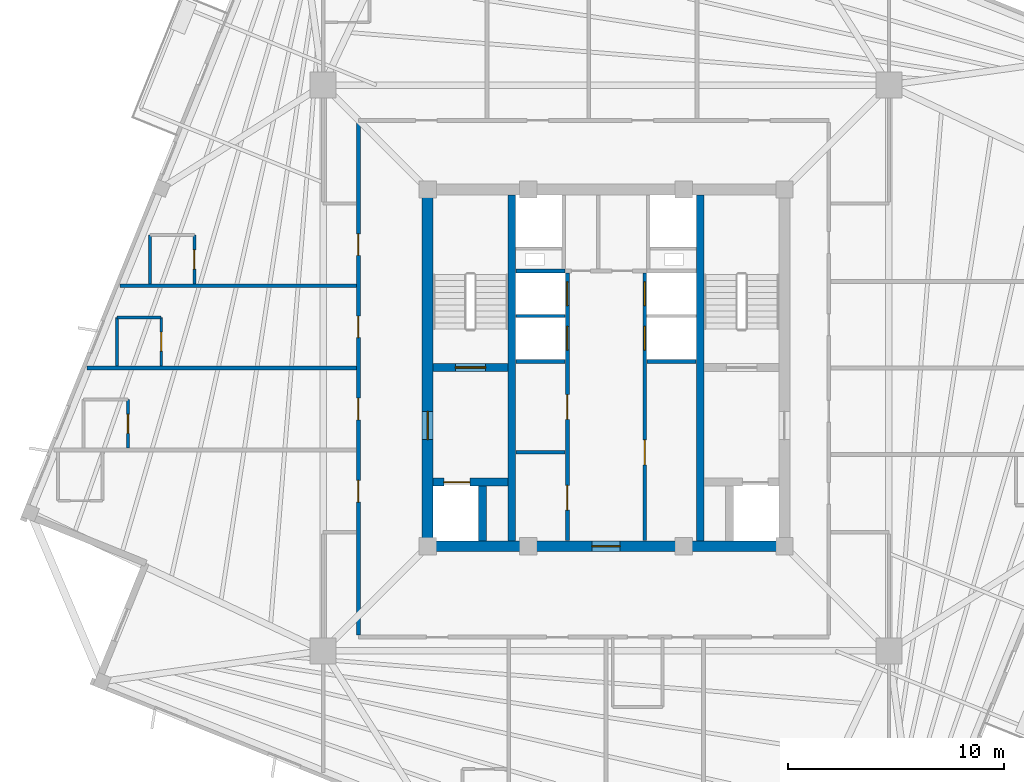
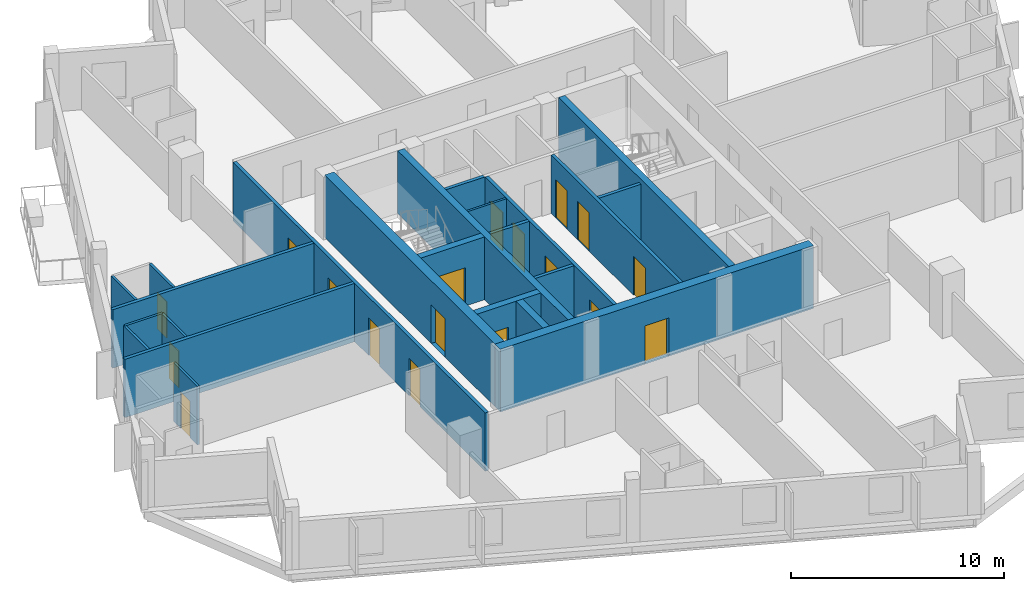
# One storey, part 3 of 9: 23 walls, 18 doors, 18 openings.
"""IFC4 building model written with IfcOpenShell, lengths in metres."""

from ifc_helpers import new_model, si_unit, direction, frame, frame_2d, origin, place, context, subcontext, project, spatial, rectangle, extrude, source, transform, mapped, material, layer, layer_set, type_object, element, fill, save


model = new_model("IFC4")

# Units and contexts
model_context = context("Model", 3, precision=1e-05, world=origin(), true_north=direction((0.0, 1.0)))
body_context = subcontext(model_context, "Body", "Model", "MODEL_VIEW")
ifc_project = project(units=[si_unit("LENGTHUNIT", "METRE"), si_unit("AREAUNIT", "SQUARE_METRE"), si_unit("VOLUMEUNIT", "CUBIC_METRE"), si_unit("PLANEANGLEUNIT", "RADIAN"), si_unit("MASSUNIT", "GRAM", prefix="KILO"), si_unit("THERMODYNAMICTEMPERATUREUNIT", "KELVIN")], contexts=[model_context])

# Site, building, storey
site_placement = place(None, origin())
site = spatial("IfcSite", under=ifc_project, at=site_placement, CompositionType="ELEMENT")
building_placement = place(site_placement, origin())
building = spatial("IfcBuilding", under=site, at=building_placement, Name="Kosmvard Interchange Tower", CompositionType="ELEMENT")
storey_placement = place(building_placement, frame((0.0, 0.0, 283.199951171875)))
storey = spatial("IfcBuildingStorey", under=building, at=storey_placement, Name="L69", CompositionType="ELEMENT", Elevation=283.199951171875)

# Wall, openings, doors
ifc_material_1 = material(Name="Fire-rated gypsum partition system")
ifc_layer_1 = layer(ifc_material_1, 0.179931640625, Name="Fire-rated gypsum partition system")
ifc_layer_set_1 = layer_set([ifc_layer_1], Name="Fire-rated gypsum partition system")
wall_type_1 = type_object("IfcWallType", Name="Corridor & Hotel Compartment Partition 180", PredefinedType="PARTITIONING", material=ifc_layer_set_1)
wall_1_placement = place(storey_placement, frame((-1.7900390625, -7.97998046875, 0.0), z_axis=(0.0, 0.0, 1.0), x_axis=(0.0, 1.0, 0.0)))
wall_1 = element("IfcWall", 1, at=wall_1_placement, inside=storey, type_object=wall_type_1, Name="L69 West Lift Bank Front Wall", PredefinedType="PARTITIONING", context=body_context, shape_type="SweptSolid", body=[
    extrude(rectangle(XDim=12.3798828125, YDim=0.179931640625, at=frame_2d((6.18994140625, 0.0))), origin(), (0.0, 0.0, 1.0), 3.35009765625),
])
opening_1_placement = place(wall_1_placement, frame((8.800048828125, 0.0, 0.0)))
opening_1 = element("IfcOpeningElement", 2, at=opening_1_placement, cuts=wall_1, Name="Opening LD-PL-H1-L69", PredefinedType="OPENING", context=body_context, shape_type="SweptSolid", body=[
    extrude(rectangle(XDim=1.10009765625, YDim=2.199951171875, at=frame_2d((0.550048828125, 1.10009765625))), frame((0.0, 0.10009765625, 0.0), z_axis=(0.0, -1.0, 0.0), x_axis=(1.0, 0.0, 0.0)), (0.0, 0.0, 1.0), 0.199951171875),
])
opening_2_placement = place(wall_1_placement, frame((10.860107421875, 0.0, 0.0)))
opening_2 = element("IfcOpeningElement", 3, at=opening_2_placement, cuts=wall_1, Name="Opening LD-PL-H2-L69", PredefinedType="OPENING", context=body_context, shape_type="SweptSolid", body=[
    extrude(rectangle(XDim=1.10009765625, YDim=2.199951171875, at=frame_2d((0.550048828125, 1.10009765625))), frame((0.0, 0.10009765625, 0.0), z_axis=(0.0, -1.0, 0.0), x_axis=(1.0, 0.0, 0.0)), (0.0, 0.0, 1.0), 0.199951171875),
])
opening_3_placement = place(wall_1_placement, frame((1.39990234375, 0.0, 0.0)))
opening_3 = element("IfcOpeningElement", 4, at=opening_3_placement, cuts=wall_1, Name="Opening L69-CD1", PredefinedType="OPENING", context=body_context, shape_type="SweptSolid", body=[
    extrude(rectangle(XDim=1.14990234375, YDim=2.25, at=frame_2d((0.574951171875, 1.125))), frame((0.0, 0.10009765625, 0.0), z_axis=(0.0, -1.0, 0.0), x_axis=(1.0, 0.0, 0.0)), (0.0, 0.0, 1.0), 0.199951171875),
])
opening_4_placement = place(wall_1_placement, frame((5.60009765625, 0.0, 0.0)))
opening_4 = element("IfcOpeningElement", 5, at=opening_4_placement, cuts=wall_1, Name="Opening L69-CD2", PredefinedType="OPENING", context=body_context, shape_type="SweptSolid", body=[
    extrude(rectangle(XDim=1.14990234375, YDim=2.25, at=frame_2d((0.574951171875, 1.125))), frame((0.0, 0.10009765625, 0.0), z_axis=(0.0, -1.0, 0.0), x_axis=(1.0, 0.0, 0.0)), (0.0, 0.0, 1.0), 0.199951171875),
])
ifc_material_2 = material(Name="Painted fire-rated steel leaf", Category="steel")
door_type_1 = type_object("IfcDoorType", Name="Plant & Riser Fire Door 1150x2250 EI60", OperationType="NOTDEFINED", PredefinedType="DOOR", material=ifc_material_2)
shared_shape_1 = source(origin(), body_context, "Body", "SweptSolid", [
    extrude(rectangle(XDim=1.14990234375, YDim=2.25, at=frame_2d((0.574951171875, 1.125))), frame((0.0, 0.02490234375, 0.0), z_axis=(0.0, -1.0, 0.0), x_axis=(1.0, 0.0, 0.0)), (0.0, 0.0, 1.0), 0.050048828125),
])
door_1_placement = place(opening_3_placement, origin())
door_1 = element("IfcDoor", 6, at=door_1_placement, inside=storey, type_object=door_type_1, Name="L69 Core Archive Door", OperationType="SINGLE_SWING_LEFT", OverallHeight=2.25, OverallWidth=1.14990234375, PredefinedType="DOOR", context=body_context, shape_type="MappedRepresentation", body=[
    mapped(shared_shape_1, transform((0.0, 0.0, 0.0), scale=1.0)),
])
fill(opening_3, door_1)
door_2_placement = place(opening_4_placement, origin())
door_2 = element("IfcDoor", 7, at=door_2_placement, inside=storey, type_object=door_type_1, Name="L69 Mid Core Housekeeping Door", OperationType="SINGLE_SWING_RIGHT", OverallHeight=2.25, OverallWidth=1.14990234375, PredefinedType="DOOR", context=body_context, shape_type="MappedRepresentation", body=[
    mapped(shared_shape_1, transform((0.0, 0.0, 0.0), scale=1.0)),
])
fill(opening_4, door_2)
ifc_material_3 = material(Name="Brushed stainless steel sliding leaf", Category="steel")
door_type_2 = type_object("IfcDoorType", Name="Passenger Lift Sliding Landing Door 1100x2200 EI60", OperationType="DOUBLE_DOOR_SLIDING", PredefinedType="DOOR", material=ifc_material_3)
shared_shape_2 = source(origin(), body_context, "Body", "SweptSolid", [
    extrude(rectangle(XDim=1.10009765625, YDim=2.199951171875, at=frame_2d((0.550048828125, 1.10009765625))), frame((0.0, 0.02490234375, 0.0), z_axis=(0.0, -1.0, 0.0), x_axis=(1.0, 0.0, 0.0)), (0.0, 0.0, 1.0), 0.050048828125),
])
door_3_placement = place(opening_1_placement, frame((1.10009765625, 0.0, 0.0), z_axis=(0.0, 0.0, 1.0), x_axis=(-1.0, 0.0, 0.0)))
door_3 = element("IfcDoor", 8, at=door_3_placement, inside=storey, type_object=door_type_2, Name="Lift PL-H1 Landing Door L69", OperationType="DOUBLE_DOOR_SLIDING", OverallHeight=2.199951171875, OverallWidth=1.10009765625, PredefinedType="DOOR", context=body_context, shape_type="MappedRepresentation", body=[
    mapped(shared_shape_2, transform((0.0, 0.0, 0.0), scale=1.0)),
])
fill(opening_1, door_3)
door_4_placement = place(opening_2_placement, frame((1.10009765625, 0.0, 0.0), z_axis=(0.0, 0.0, 1.0), x_axis=(-1.0, 0.0, 0.0)))
door_4 = element("IfcDoor", 9, at=door_4_placement, inside=storey, type_object=door_type_2, Name="Lift PL-H2 Landing Door L69", OperationType="DOUBLE_DOOR_SLIDING", OverallHeight=2.199951171875, OverallWidth=1.10009765625, PredefinedType="DOOR", context=body_context, shape_type="MappedRepresentation", body=[
    mapped(shared_shape_2, transform((0.0, 0.0, 0.0), scale=1.0)),
])
fill(opening_2, door_4)

wall_2_placement = place(storey_placement, frame((1.7900390625, -7.97998046875, 0.0), z_axis=(0.0, 0.0, 1.0), x_axis=(0.0, 1.0, 0.0)))
wall_2 = element("IfcWall", 10, at=wall_2_placement, inside=storey, type_object=wall_type_1, Name="L69 East Lift Bank Front Wall", PredefinedType="PARTITIONING", context=body_context, shape_type="SweptSolid", body=[
    extrude(rectangle(XDim=12.3798828125, YDim=0.179931640625, at=frame_2d((6.18994140625, 0.0))), origin(), (0.0, 0.0, 1.0), 3.35009765625),
])
opening_5_placement = place(wall_2_placement, frame((8.800048828125, 0.0, 0.0)))
opening_5 = element("IfcOpeningElement", 11, at=opening_5_placement, cuts=wall_2, Name="Opening LD-PL-H3-L69", PredefinedType="OPENING", context=body_context, shape_type="SweptSolid", body=[
    extrude(rectangle(XDim=1.10009765625, YDim=2.199951171875, at=frame_2d((0.550048828125, 1.10009765625))), frame((0.0, 0.10009765625, 0.0), z_axis=(0.0, -1.0, 0.0), x_axis=(1.0, 0.0, 0.0)), (0.0, 0.0, 1.0), 0.199951171875),
])
opening_6_placement = place(wall_2_placement, frame((10.860107421875, 0.0, 0.0)))
opening_6 = element("IfcOpeningElement", 12, at=opening_6_placement, cuts=wall_2, Name="Opening LD-PL-H4-L69", PredefinedType="OPENING", context=body_context, shape_type="SweptSolid", body=[
    extrude(rectangle(XDim=1.10009765625, YDim=2.199951171875, at=frame_2d((0.550048828125, 1.10009765625))), frame((0.0, 0.10009765625, 0.0), z_axis=(0.0, -1.0, 0.0), x_axis=(1.0, 0.0, 0.0)), (0.0, 0.0, 1.0), 0.199951171875),
])
opening_7_placement = place(wall_2_placement, frame((3.5, 0.0, 0.0)))
opening_7 = element("IfcOpeningElement", 13, at=opening_7_placement, cuts=wall_2, Name="Opening L69-CD3", PredefinedType="OPENING", context=body_context, shape_type="SweptSolid", body=[
    extrude(rectangle(XDim=1.14990234375, YDim=2.25, at=frame_2d((0.574951171875, 1.125))), frame((0.0, 0.10009765625, 0.0), z_axis=(0.0, -1.0, 0.0), x_axis=(1.0, 0.0, 0.0)), (0.0, 0.0, 1.0), 0.199951171875),
])
door_5_placement = place(opening_7_placement, frame((1.14990234375, 0.0, 0.0), z_axis=(0.0, 0.0, 1.0), x_axis=(-1.0, 0.0, 0.0)))
door_5 = element("IfcDoor", 14, at=door_5_placement, inside=storey, type_object=door_type_1, Name="L69 Core Data Switch Door", OperationType="SINGLE_SWING_LEFT", OverallHeight=2.25, OverallWidth=1.14990234375, PredefinedType="DOOR", context=body_context, shape_type="MappedRepresentation", body=[
    mapped(shared_shape_1, transform((0.0, 0.0, 0.0), scale=1.0)),
])
fill(opening_7, door_5)
door_6_placement = place(opening_5_placement, origin())
door_6 = element("IfcDoor", 15, at=door_6_placement, inside=storey, type_object=door_type_2, Name="Lift PL-H3 Landing Door L69", OperationType="DOUBLE_DOOR_SLIDING", OverallHeight=2.199951171875, OverallWidth=1.10009765625, PredefinedType="DOOR", context=body_context, shape_type="MappedRepresentation", body=[
    mapped(shared_shape_2, transform((0.0, 0.0, 0.0), scale=1.0)),
])
fill(opening_5, door_6)
door_7_placement = place(opening_6_placement, origin())
door_7 = element("IfcDoor", 16, at=door_7_placement, inside=storey, type_object=door_type_2, Name="Lift PL-H4 Landing Door L69", OperationType="DOUBLE_DOOR_SLIDING", OverallHeight=2.199951171875, OverallWidth=1.10009765625, PredefinedType="DOOR", context=body_context, shape_type="MappedRepresentation", body=[
    mapped(shared_shape_2, transform((0.0, 0.0, 0.0), scale=1.0)),
])
fill(opening_6, door_7)

wall_3_placement = place(storey_placement, frame((-11.449951171875, -12.35009765625, 0.0), z_axis=(0.0, 0.0, 1.0), x_axis=(0.0, 1.0, 0.0)))
wall_3 = element("IfcWall", 17, at=wall_3_placement, inside=storey, type_object=wall_type_1, Name="L69 Corridor Wall CW", PredefinedType="PARTITIONING", context=body_context, shape_type="SweptSolid", body=[
    extrude(rectangle(XDim=23.7001953125, YDim=0.179931640625, at=frame_2d((11.85009765625, 0.0))), origin(), (0.0, 0.0, 1.0), 3.35009765625),
])
opening_8_placement = place(wall_3_placement, frame((13.75, 0.0, 0.0)))
opening_8 = element("IfcOpeningElement", 18, at=opening_8_placement, cuts=wall_3, Name="Opening L69-D02", PredefinedType="OPENING", context=body_context, shape_type="SweptSolid", body=[
    extrude(rectangle(XDim=1.0, YDim=2.14990234375, at=frame_2d((0.5, 1.074951171875))), frame((0.0, 0.10009765625, 0.0), z_axis=(0.0, -1.0, 0.0), x_axis=(1.0, 0.0, 0.0)), (0.0, 0.0, 1.0), 0.199951171875),
])
opening_9_placement = place(wall_3_placement, frame((17.550048828125, 0.0, 0.0)))
opening_9 = element("IfcOpeningElement", 19, at=opening_9_placement, cuts=wall_3, Name="Opening L69-D04", PredefinedType="OPENING", context=body_context, shape_type="SweptSolid", body=[
    extrude(rectangle(XDim=1.0, YDim=2.14990234375, at=frame_2d((0.5, 1.074951171875))), frame((0.0, 0.10009765625, 0.0), z_axis=(0.0, -1.0, 0.0), x_axis=(1.0, 0.0, 0.0)), (0.0, 0.0, 1.0), 0.199951171875),
])
opening_10_placement = place(wall_3_placement, frame((6.14990234375, 0.0, 0.0)))
opening_10 = element("IfcOpeningElement", 20, at=opening_10_placement, cuts=wall_3, Name="Opening L69-D28", PredefinedType="OPENING", context=body_context, shape_type="SweptSolid", body=[
    extrude(rectangle(XDim=1.0, YDim=2.14990234375, at=frame_2d((0.5, 1.074951171875))), frame((0.0, 0.10009765625, 0.0), z_axis=(0.0, -1.0, 0.0), x_axis=(1.0, 0.0, 0.0)), (0.0, 0.0, 1.0), 0.199951171875),
])
opening_11_placement = place(wall_3_placement, frame((9.949951171875, 0.0, 0.0)))
opening_11 = element("IfcOpeningElement", 21, at=opening_11_placement, cuts=wall_3, Name="Opening L69-D30", PredefinedType="OPENING", context=body_context, shape_type="SweptSolid", body=[
    extrude(rectangle(XDim=1.0, YDim=2.14990234375, at=frame_2d((0.5, 1.074951171875))), frame((0.0, 0.10009765625, 0.0), z_axis=(0.0, -1.0, 0.0), x_axis=(1.0, 0.0, 0.0)), (0.0, 0.0, 1.0), 0.199951171875),
])
ifc_material_4 = material(Name="Engineered oak fire-rated timber", Category="wood")
door_type_3 = type_object("IfcDoorType", Name="Hotel Guestroom Entrance Door 1000x2150 EI60", OperationType="NOTDEFINED", PredefinedType="DOOR", material=ifc_material_4)
shared_shape_3 = source(origin(), body_context, "Body", "SweptSolid", [
    extrude(rectangle(XDim=1.0, YDim=2.14990234375, at=frame_2d((0.5, 1.074951171875))), frame((0.0, 0.02490234375, 0.0), z_axis=(0.0, -1.0, 0.0), x_axis=(1.0, 0.0, 0.0)), (0.0, 0.0, 1.0), 0.050048828125),
])
door_8_placement = place(opening_8_placement, origin())
door_8 = element("IfcDoor", 22, at=door_8_placement, inside=storey, type_object=door_type_3, Name="L69 Hotel Standard Guest Room 1 Door", OperationType="SINGLE_SWING_RIGHT", OverallHeight=2.14990234375, OverallWidth=1.0, PredefinedType="DOOR", context=body_context, shape_type="MappedRepresentation", body=[
    mapped(shared_shape_3, transform((0.0, 0.0, 0.0), scale=1.0)),
])
fill(opening_8, door_8)
door_9_placement = place(opening_9_placement, origin())
door_9 = element("IfcDoor", 23, at=door_9_placement, inside=storey, type_object=door_type_3, Name="L69 Hotel Standard Junior Suite 2 Door", OperationType="SINGLE_SWING_RIGHT", OverallHeight=2.14990234375, OverallWidth=1.0, PredefinedType="DOOR", context=body_context, shape_type="MappedRepresentation", body=[
    mapped(shared_shape_3, transform((0.0, 0.0, 0.0), scale=1.0)),
])
fill(opening_9, door_9)
door_10_placement = place(opening_10_placement, origin())
door_10 = element("IfcDoor", 24, at=door_10_placement, inside=storey, type_object=door_type_3, Name="L69 Hotel Corner Suite 4 Door", OperationType="SINGLE_SWING_RIGHT", OverallHeight=2.14990234375, OverallWidth=1.0, PredefinedType="DOOR", context=body_context, shape_type="MappedRepresentation", body=[
    mapped(shared_shape_3, transform((0.0, 0.0, 0.0), scale=1.0)),
])
fill(opening_10, door_10)
door_11_placement = place(opening_11_placement, origin())
door_11 = element("IfcDoor", 25, at=door_11_placement, inside=storey, type_object=door_type_3, Name="L69 Hotel King Guest Room 10 Door", OperationType="SINGLE_SWING_RIGHT", OverallHeight=2.14990234375, OverallWidth=1.0, PredefinedType="DOOR", context=body_context, shape_type="MappedRepresentation", body=[
    mapped(shared_shape_3, transform((0.0, 0.0, 0.0), scale=1.0)),
])
fill(opening_11, door_11)

# Walls
wall_4_placement = place(storey_placement, frame((-11.544921875, 0.0, 0.0), z_axis=(0.0, 0.0, 1.0), x_axis=(-1.0, 0.0, 0.0)))
element("IfcWall", 26, at=wall_4_placement, inside=storey, type_object=wall_type_1, Name="L69 Room Partition 11.1", PredefinedType="PARTITIONING", context=body_context, shape_type="SweptSolid", body=[
    extrude(rectangle(XDim=12.457763671875, YDim=0.179931640625, at=frame_2d((6.22900390625, 0.0))), origin(), (0.0, 0.0, 1.0), 3.35009765625),
])
wall_5_placement = place(storey_placement, frame((-11.544921875, 3.800048828125, 0.0), z_axis=(0.0, 0.0, 1.0), x_axis=(-1.0, 0.0, 0.0)))
element("IfcWall", 27, at=wall_5_placement, inside=storey, type_object=wall_type_1, Name="L69 Room Partition 12.1", PredefinedType="PARTITIONING", context=body_context, shape_type="SweptSolid", body=[
    extrude(rectangle(XDim=10.922607421875, YDim=0.179931640625, at=frame_2d((5.46142578125, 0.0))), origin(), (0.0, 0.0, 1.0), 3.35009765625),
])
ifc_material_5 = material(Name="Concrete blockwork masonry", Category="masonry")
ifc_layer_2 = layer(ifc_material_5, 0.179931640625, Name="Concrete blockwork masonry")
ifc_layer_set_2 = layer_set([ifc_layer_2], Name="Concrete blockwork masonry")
wall_type_2 = type_object("IfcWallType", Name="Riser & Lift Bank Divider Wall 180", PredefinedType="PARTITIONING", material=ifc_layer_set_2)
for number, where, z_axis, x_axis, name in (
    (28, (-4.169921875, -3.89990234375, 0.0), (0.0, 0.0, 1.0), (1.0, 0.0, 0.0), "L69 West Bank Divider BD1"),
    (29, (-4.169921875, 0.300048828125, 0.0), (0.0, 0.0, 1.0), (1.0, 0.0, 0.0), "L69 West Bank Divider BD2"),
    (30, (1.889892578125, 0.300048828125, 0.0), (0.0, 0.0, 1.0), (1.0, 0.0, 0.0), "L69 East Bank Divider BD2"),
    (31, (-4.169921875, 4.489990234375, 0.0), (0.0, 0.0, 1.0), (1.0, 0.0, 0.0), "L69 West Bank Divider BD3"),
):
    element("IfcWall", number, at=place(storey_placement, frame(where, z_axis=z_axis, x_axis=x_axis)), inside=storey, type_object=wall_type_2, Name=name, PredefinedType="PARTITIONING", context=body_context, shape_type="SweptSolid", body=[
        extrude(rectangle(XDim=2.280029296875, YDim=0.179931640625, at=frame_2d((1.14013671875, 0.0))), origin(), (0.0, 0.0, 1.0), 3.35009765625),
    ])
ifc_material_6 = material(Name="Fire-rated gypsum shaftwall system")
ifc_layer_3 = layer(ifc_material_6, 0.1201171875, Name="Fire-rated gypsum shaftwall system")
ifc_layer_set_3 = layer_set([ifc_layer_3], Name="Fire-rated gypsum shaftwall system")
wall_type_3 = type_object("IfcWallType", Name="Shaft & Riser Fire Partition 120 EI60", PredefinedType="PARTITIONING", material=ifc_layer_set_3)
wall_6_placement = place(storey_placement, frame((-4.159912109375, 2.39990234375, 0.0), z_axis=(0.0, 0.0, 1.0), x_axis=(1.0, 0.0, 0.0)))
element("IfcWall", 32, at=wall_6_placement, inside=storey, type_object=wall_type_3, Name="L69 Shaft Divider PL-H1", PredefinedType="PARTITIONING", context=body_context, shape_type="SweptSolid", body=[
    extrude(rectangle(XDim=2.260009765625, YDim=0.1201171875, at=frame_2d((1.1298828125, 0.0))), origin(), (0.0, 0.0, 1.0), 3.35009765625),
])
ifc_material_7 = material(Name="Concrete C60/75", Category="concrete")
ifc_layer_4 = layer(ifc_material_7, 0.360107421875, Name="Concrete C60/75")
ifc_layer_set_4 = layer_set([ifc_layer_4], Name="Concrete C60/75")
wall_type_4 = type_object("IfcWallType", Name="Stair & Lift Shaft Shear Wall 360 C60/75", PredefinedType="SHEAR", material=ifc_layer_set_4)
for number, where, z_axis, x_axis, name in (
    (33, (-4.360107421875, -8.0, 0.0), (0.0, 0.0, 1.0), (0.0, 1.0, 0.0), "L69 Shaft Shear Wall SW-W"),
    (34, (4.360107421875, -8.0, 0.0), (0.0, 0.0, 1.0), (0.0, 1.0, 0.0), "L69 Shaft Shear Wall SW-E"),
):
    element("IfcWall", number, at=place(storey_placement, frame(where, z_axis=z_axis, x_axis=x_axis)), inside=storey, type_object=wall_type_4, Name=name, PredefinedType="SHEAR", context=body_context, shape_type="SweptSolid", body=[
        extrude(rectangle(XDim=16.0, YDim=0.360107421875, at=frame_2d((8.0, 0.0))), origin(), (0.0, 0.0, 1.0), 3.60009765625),
    ])

# Wall, opening, door
wall_7_placement = place(storey_placement, frame((-8.0, 0.02001953125, 0.0), z_axis=(0.0, 0.0, 1.0), x_axis=(1.0, 0.0, 0.0)))
wall_7 = element("IfcWall", 35, at=wall_7_placement, inside=storey, type_object=wall_type_4, Name="L69 Shaft Shear Wall SW-ST1", PredefinedType="SHEAR", context=body_context, shape_type="SweptSolid", body=[
    extrude(rectangle(XDim=3.4599609375, YDim=0.360107421875, at=frame_2d((1.72998046875, 0.0))), origin(), (0.0, 0.0, 1.0), 3.60009765625),
])
opening_12_placement = place(wall_7_placement, frame((1.030029296875, 0.0, 0.0)))
opening_12 = element("IfcOpeningElement", 36, at=opening_12_placement, cuts=wall_7, Name="Opening L69-SD1", PredefinedType="OPENING", context=body_context, shape_type="SweptSolid", body=[
    extrude(rectangle(XDim=1.39990234375, YDim=2.199951171875, at=frame_2d((0.699951171875, 1.10009765625))), frame((0.0, 0.18994140625, 0.0), z_axis=(0.0, -1.0, 0.0), x_axis=(1.0, 0.0, 0.0)), (0.0, 0.0, 1.0), 0.380126953125),
])
door_type_4 = type_object("IfcDoorType", Name="Protected Stair Door 1400x2200 FD60S", OperationType="NOTDEFINED", PredefinedType="DOOR", material=ifc_material_2)
shared_shape_4 = source(origin(), body_context, "Body", "SweptSolid", [
    extrude(rectangle(XDim=1.39990234375, YDim=2.199951171875, at=frame_2d((0.699951171875, 1.10009765625))), frame((0.0, 0.02490234375, 0.0), z_axis=(0.0, -1.0, 0.0), x_axis=(1.0, 0.0, 0.0)), (0.0, 0.0, 1.0), 0.050048828125),
])
door_12_placement = place(opening_12_placement, origin())
door_12 = element("IfcDoor", 37, at=door_12_placement, inside=storey, type_object=door_type_4, Name="L69 Stair ST-1 Enclosure Door", OperationType="SINGLE_SWING_LEFT", OverallHeight=2.199951171875, OverallWidth=1.39990234375, PredefinedType="DOOR", context=body_context, shape_type="MappedRepresentation", body=[
    mapped(shared_shape_4, transform((0.0, 0.0, 0.0), scale=1.0)),
])
fill(opening_12, door_12)

wall_8_placement = place(storey_placement, frame((-8.0, -5.280029296875, 0.0), z_axis=(0.0, 0.0, 1.0), x_axis=(1.0, 0.0, 0.0)))
wall_8 = element("IfcWall", 38, at=wall_8_placement, inside=storey, type_object=wall_type_4, Name="L69 Shaft Shear Wall SW-FF1", PredefinedType="SHEAR", context=body_context, shape_type="SweptSolid", body=[
    extrude(rectangle(XDim=3.4599609375, YDim=0.360107421875, at=frame_2d((1.72998046875, 0.0))), origin(), (0.0, 0.0, 1.0), 3.60009765625),
])
opening_13_placement = place(wall_8_placement, frame((0.5, 0.0, 0.0)))
opening_13 = element("IfcOpeningElement", 39, at=opening_13_placement, cuts=wall_8, Name="Opening LD-FF-1-L69", PredefinedType="OPENING", context=body_context, shape_type="SweptSolid", body=[
    extrude(rectangle(XDim=1.199951171875, YDim=2.25, at=frame_2d((0.60009765625, 1.125))), frame((0.0, 0.18994140625, 0.0), z_axis=(0.0, -1.0, 0.0), x_axis=(1.0, 0.0, 0.0)), (0.0, 0.0, 1.0), 0.380126953125),
])
door_type_5 = type_object("IfcDoorType", Name="Firefighting Lift Sliding Landing Door 1200x2250 EI120", OperationType="DOUBLE_DOOR_SLIDING", PredefinedType="DOOR", material=ifc_material_3)
shared_shape_5 = source(origin(), body_context, "Body", "SweptSolid", [
    extrude(rectangle(XDim=1.199951171875, YDim=2.25, at=frame_2d((0.60009765625, 1.125))), frame((0.0, 0.02490234375, 0.0), z_axis=(0.0, -1.0, 0.0), x_axis=(1.0, 0.0, 0.0)), (0.0, 0.0, 1.0), 0.050048828125),
])
door_13_placement = place(opening_13_placement, origin())
door_13 = element("IfcDoor", 40, at=door_13_placement, inside=storey, type_object=door_type_5, Name="Lift FF-1 Landing Door L69", OperationType="DOUBLE_DOOR_SLIDING", OverallHeight=2.25, OverallWidth=1.199951171875, PredefinedType="DOOR", context=body_context, shape_type="MappedRepresentation", body=[
    mapped(shared_shape_5, transform((0.0, 0.0, 0.0), scale=1.0)),
])
fill(opening_13, door_13)

# Wall
wall_9_placement = place(storey_placement, frame((-5.7099609375, -8.0, 0.0), z_axis=(0.0, 0.0, 1.0), x_axis=(0.0, 1.0, 0.0)))
element("IfcWall", 41, at=wall_9_placement, inside=storey, type_object=wall_type_4, Name="L69 Shaft Shear Wall SW-SM1", PredefinedType="SHEAR", context=body_context, shape_type="SweptSolid", body=[
    extrude(rectangle(XDim=2.5400390625, YDim=0.360107421875, at=frame_2d((1.27001953125, 0.0))), origin(), (0.0, 0.0, 1.0), 3.60009765625),
])

# Wall, opening, door
ifc_layer_5 = layer(ifc_material_7, 0.5, Name="Concrete C60/75")
ifc_layer_set_5 = layer_set([ifc_layer_5], Name="Concrete C60/75")
wall_type_5 = type_object("IfcWallType", Name="Upper Core Shear Wall 500 C60/75", PredefinedType="SHEAR", material=ifc_layer_set_5)
wall_10_placement = place(storey_placement, frame((-8.5, -8.25, 0.0), z_axis=(0.0, 0.0, 1.0), x_axis=(1.0, 0.0, 0.0)))
wall_10 = element("IfcWall", 42, at=wall_10_placement, inside=storey, type_object=wall_type_5, Name="L69 Core Shear Wall CW-S", PredefinedType="SHEAR", context=body_context, shape_type="SweptSolid", body=[
    extrude(rectangle(XDim=17.0, YDim=0.5, at=frame_2d((8.5, 0.0))), origin(), (0.0, 0.0, 1.0), 3.60009765625),
])
opening_14_placement = place(wall_10_placement, frame((7.85009765625, 0.0, 0.0)))
opening_14 = element("IfcOpeningElement", 43, at=opening_14_placement, cuts=wall_10, Name="Opening L69-LD0", PredefinedType="OPENING", context=body_context, shape_type="SweptSolid", body=[
    extrude(rectangle(XDim=1.300048828125, YDim=2.199951171875, at=frame_2d((0.64990234375, 1.10009765625))), frame((0.0, 0.260009765625, 0.0), z_axis=(0.0, -1.0, 0.0), x_axis=(1.0, 0.0, 0.0)), (0.0, 0.0, 1.0), 0.52001953125),
])
door_type_6 = type_object("IfcDoorType", Name="Firefighting Lobby Door 1300x2200 EI60", OperationType="NOTDEFINED", PredefinedType="DOOR", material=ifc_material_2)
shared_shape_6 = source(origin(), body_context, "Body", "SweptSolid", [
    extrude(rectangle(XDim=1.300048828125, YDim=2.199951171875, at=frame_2d((0.64990234375, 1.10009765625))), frame((0.0, 0.02490234375, 0.0), z_axis=(0.0, -1.0, 0.0), x_axis=(1.0, 0.0, 0.0)), (0.0, 0.0, 1.0), 0.050048828125),
])
door_14_placement = place(opening_14_placement, frame((1.300048828125, 0.0, 0.0), z_axis=(0.0, 0.0, 1.0), x_axis=(-1.0, 0.0, 0.0)))
door_14 = element("IfcDoor", 44, at=door_14_placement, inside=storey, type_object=door_type_6, Name="L69 Passenger Lift Lobby South Door", OperationType="SINGLE_SWING_LEFT", OverallHeight=2.199951171875, OverallWidth=1.300048828125, PredefinedType="DOOR", context=body_context, shape_type="MappedRepresentation", body=[
    mapped(shared_shape_6, transform((0.0, 0.0, 0.0), scale=1.0)),
])
fill(opening_14, door_14)

wall_11_placement = place(storey_placement, frame((-8.25, -8.0, 0.0), z_axis=(0.0, 0.0, 1.0), x_axis=(0.0, 1.0, 0.0)))
wall_11 = element("IfcWall", 45, at=wall_11_placement, inside=storey, type_object=wall_type_5, Name="L69 Core Shear Wall CW-W", PredefinedType="SHEAR", context=body_context, shape_type="SweptSolid", body=[
    extrude(rectangle(XDim=16.0, YDim=0.5, at=frame_2d((8.0, 0.0))), origin(), (0.0, 0.0, 1.0), 3.60009765625),
])
opening_15_placement = place(wall_11_placement, frame((4.68994140625, 0.0, 0.0)))
opening_15 = element("IfcOpeningElement", 46, at=opening_15_placement, cuts=wall_11, Name="Opening L69-FD1", PredefinedType="OPENING", context=body_context, shape_type="SweptSolid", body=[
    extrude(rectangle(XDim=1.300048828125, YDim=2.199951171875, at=frame_2d((0.64990234375, 1.10009765625))), frame((0.0, 0.260009765625, 0.0), z_axis=(0.0, -1.0, 0.0), x_axis=(1.0, 0.0, 0.0)), (0.0, 0.0, 1.0), 0.52001953125),
])
door_15_placement = place(opening_15_placement, frame((1.300048828125, 0.0, 0.0), z_axis=(0.0, 0.0, 1.0), x_axis=(-1.0, 0.0, 0.0)))
door_15 = element("IfcDoor", 47, at=door_15_placement, inside=storey, type_object=door_type_6, Name="L69 Firefighting Lobby West Door", OperationType="SINGLE_SWING_LEFT", OverallHeight=2.199951171875, OverallWidth=1.300048828125, PredefinedType="DOOR", context=body_context, shape_type="MappedRepresentation", body=[
    mapped(shared_shape_6, transform((0.0, 0.0, 0.0), scale=1.0)),
])
fill(opening_15, door_15)

ifc_material_8 = material(Name="Moisture-resistant gypsum partition")
ifc_layer_6 = layer(ifc_material_8, 0.135009765625, Name="Moisture-resistant gypsum partition")
ifc_layer_set_6 = layer_set([ifc_layer_6], Name="Moisture-resistant gypsum partition")
wall_type_6 = type_object("IfcWallType", Name="Wet Room Moisture-Resistant Partition 135", PredefinedType="PARTITIONING", material=ifc_layer_set_6)
wall_12_placement = place(storey_placement, frame((-20.569580078125, 0.090087890625, 0.0), z_axis=(0.0, 0.0, 1.0), x_axis=(0.0, 1.0, 0.0)))
wall_12 = element("IfcWall", 48, at=wall_12_placement, inside=storey, type_object=wall_type_6, Name="L69 En-Suite Partition HGR1-E", PredefinedType="PARTITIONING", context=body_context, shape_type="SweptSolid", body=[
    extrude(rectangle(XDim=2.25, YDim=0.135009765625, at=frame_2d((1.125, 0.0))), origin(), (0.0, 0.0, 1.0), 3.35009765625),
])
opening_16_placement = place(wall_12_placement, frame((0.68505859375, 0.0, 0.0)))
opening_16 = element("IfcOpeningElement", 49, at=opening_16_placement, cuts=wall_12, Name="Opening L69-ED03", PredefinedType="OPENING", context=body_context, shape_type="SweptSolid", body=[
    extrude(rectangle(XDim=0.8798828125, YDim=2.10009765625, at=frame_2d((0.43994140625, 1.050048828125))), frame((0.0, 0.07763671875, 0.0), z_axis=(0.0, -1.0, 0.0), x_axis=(1.0, 0.0, 0.0)), (0.0, 0.0, 1.0), 0.155029296875),
])
ifc_material_9 = material(Name="Laminated moisture-resistant timber", Category="wood")
door_type_7 = type_object("IfcDoorType", Name="En-Suite & Washroom Door 880x2100", OperationType="NOTDEFINED", PredefinedType="DOOR", material=ifc_material_9)
shared_shape_7 = source(origin(), body_context, "Body", "SweptSolid", [
    extrude(rectangle(XDim=0.8798828125, YDim=2.10009765625, at=frame_2d((0.43994140625, 1.050048828125))), frame((0.0, 0.02490234375, 0.0), z_axis=(0.0, -1.0, 0.0), x_axis=(1.0, 0.0, 0.0)), (0.0, 0.0, 1.0), 0.050048828125),
])
door_16_placement = place(opening_16_placement, origin())
door_16 = element("IfcDoor", 50, at=door_16_placement, inside=storey, type_object=door_type_7, Name="L69 HGR1 En-Suite Door", OperationType="SINGLE_SWING_RIGHT", OverallHeight=2.10009765625, OverallWidth=0.8798828125, PredefinedType="DOOR", context=body_context, shape_type="MappedRepresentation", body=[
    mapped(shared_shape_7, transform((0.0, 0.0, 0.0), scale=1.0)),
])
fill(opening_16, door_16)

# Walls
wall_13_placement = place(storey_placement, frame((-22.619384765625, 2.340087890625, 0.0), z_axis=(0.0, 0.0, 1.0), x_axis=(1.0, 0.0, 0.0)))
element("IfcWall", 51, at=wall_13_placement, inside=storey, type_object=wall_type_6, Name="L69 En-Suite Partition HGR1-N", PredefinedType="PARTITIONING", context=body_context, shape_type="SweptSolid", body=[
    extrude(rectangle(XDim=2.0498046875, YDim=0.135009765625, at=frame_2d((1.02490234375, 0.0))), origin(), (0.0, 0.0, 1.0), 3.35009765625),
])
wall_14_placement = place(storey_placement, frame((-22.619384765625, 0.090087890625, 0.0), z_axis=(0.0, 0.0, 1.0), x_axis=(0.0, 1.0, 0.0)))
element("IfcWall", 52, at=wall_14_placement, inside=storey, type_object=wall_type_6, Name="L69 En-Suite Partition HGR1-W", PredefinedType="PARTITIONING", context=body_context, shape_type="SweptSolid", body=[
    extrude(rectangle(XDim=2.25, YDim=0.135009765625, at=frame_2d((1.125, 0.0))), origin(), (0.0, 0.0, 1.0), 3.35009765625),
])

# Wall, opening, door
wall_15_placement = place(storey_placement, frame((-19.0341796875, 3.889892578125, 0.0), z_axis=(0.0, 0.0, 1.0), x_axis=(0.0, 1.0, 0.0)))
wall_15 = element("IfcWall", 53, at=wall_15_placement, inside=storey, type_object=wall_type_6, Name="L69 En-Suite Partition HGR2-E", PredefinedType="PARTITIONING", context=body_context, shape_type="SweptSolid", body=[
    extrude(rectangle(XDim=2.25, YDim=0.135009765625, at=frame_2d((1.125, 0.0))), origin(), (0.0, 0.0, 1.0), 3.35009765625),
])
opening_17_placement = place(wall_15_placement, frame((0.68505859375, 0.0, 0.0)))
opening_17 = element("IfcOpeningElement", 54, at=opening_17_placement, cuts=wall_15, Name="Opening L69-ED05", PredefinedType="OPENING", context=body_context, shape_type="SweptSolid", body=[
    extrude(rectangle(XDim=0.8798828125, YDim=2.10009765625, at=frame_2d((0.43994140625, 1.050048828125))), frame((0.0, 0.07763671875, 0.0), z_axis=(0.0, -1.0, 0.0), x_axis=(1.0, 0.0, 0.0)), (0.0, 0.0, 1.0), 0.155029296875),
])
door_17_placement = place(opening_17_placement, origin())
door_17 = element("IfcDoor", 55, at=door_17_placement, inside=storey, type_object=door_type_7, Name="L69 HGR2 En-Suite Door", OperationType="SINGLE_SWING_RIGHT", OverallHeight=2.10009765625, OverallWidth=0.8798828125, PredefinedType="DOOR", context=body_context, shape_type="MappedRepresentation", body=[
    mapped(shared_shape_7, transform((0.0, 0.0, 0.0), scale=1.0)),
])
fill(opening_17, door_17)

# Wall
wall_16_placement = place(storey_placement, frame((-21.084228515625, 3.889892578125, 0.0), z_axis=(0.0, 0.0, 1.0), x_axis=(0.0, 1.0, 0.0)))
element("IfcWall", 56, at=wall_16_placement, inside=storey, type_object=wall_type_6, Name="L69 En-Suite Partition HGR2-W", PredefinedType="PARTITIONING", context=body_context, shape_type="SweptSolid", body=[
    extrude(rectangle(XDim=2.25, YDim=0.135009765625, at=frame_2d((1.125, 0.0))), origin(), (0.0, 0.0, 1.0), 3.35009765625),
])

# Wall, opening, door
wall_17_placement = place(storey_placement, frame((-22.104736328125, -3.7099609375, 0.0), z_axis=(0.0, 0.0, 1.0), x_axis=(0.0, 1.0, 0.0)))
wall_17 = element("IfcWall", 57, at=wall_17_placement, inside=storey, type_object=wall_type_6, Name="L69 En-Suite Partition HGR0-E", PredefinedType="PARTITIONING", context=body_context, shape_type="SweptSolid", body=[
    extrude(rectangle(XDim=2.25, YDim=0.135009765625, at=frame_2d((1.125, 0.0))), origin(), (0.0, 0.0, 1.0), 3.35009765625),
])
opening_18_placement = place(wall_17_placement, frame((0.68505859375, 0.0, 0.0)))
opening_18 = element("IfcOpeningElement", 58, at=opening_18_placement, cuts=wall_17, Name="Opening L69-ED31", PredefinedType="OPENING", context=body_context, shape_type="SweptSolid", body=[
    extrude(rectangle(XDim=0.8798828125, YDim=2.10009765625, at=frame_2d((0.43994140625, 1.050048828125))), frame((0.0, 0.07763671875, 0.0), z_axis=(0.0, -1.0, 0.0), x_axis=(1.0, 0.0, 0.0)), (0.0, 0.0, 1.0), 0.155029296875),
])
door_18_placement = place(opening_18_placement, origin())
door_18 = element("IfcDoor", 59, at=door_18_placement, inside=storey, type_object=door_type_7, Name="L69 HGR0 En-Suite Door", OperationType="SINGLE_SWING_RIGHT", OverallHeight=2.10009765625, OverallWidth=0.8798828125, PredefinedType="DOOR", context=body_context, shape_type="MappedRepresentation", body=[
    mapped(shared_shape_7, transform((0.0, 0.0, 0.0), scale=1.0)),
])
fill(opening_18, door_18)

save(model, "model.ifc")
